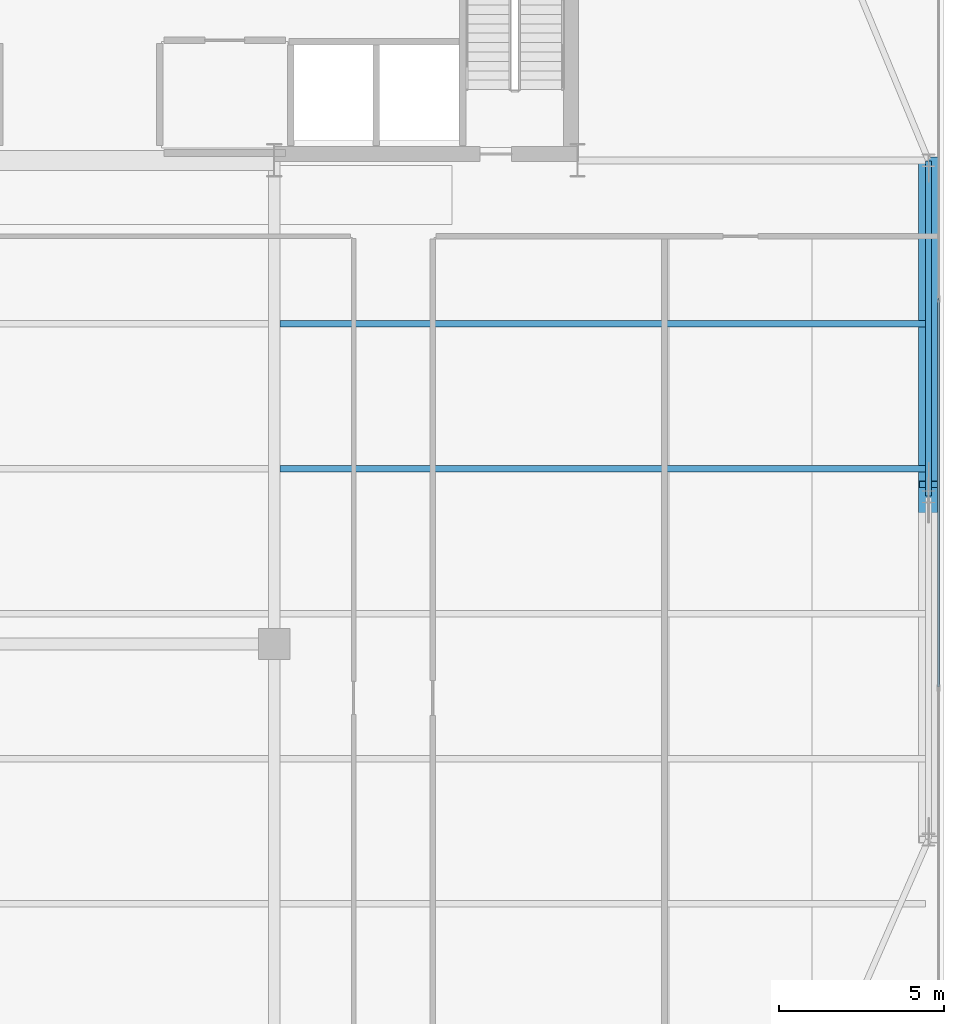
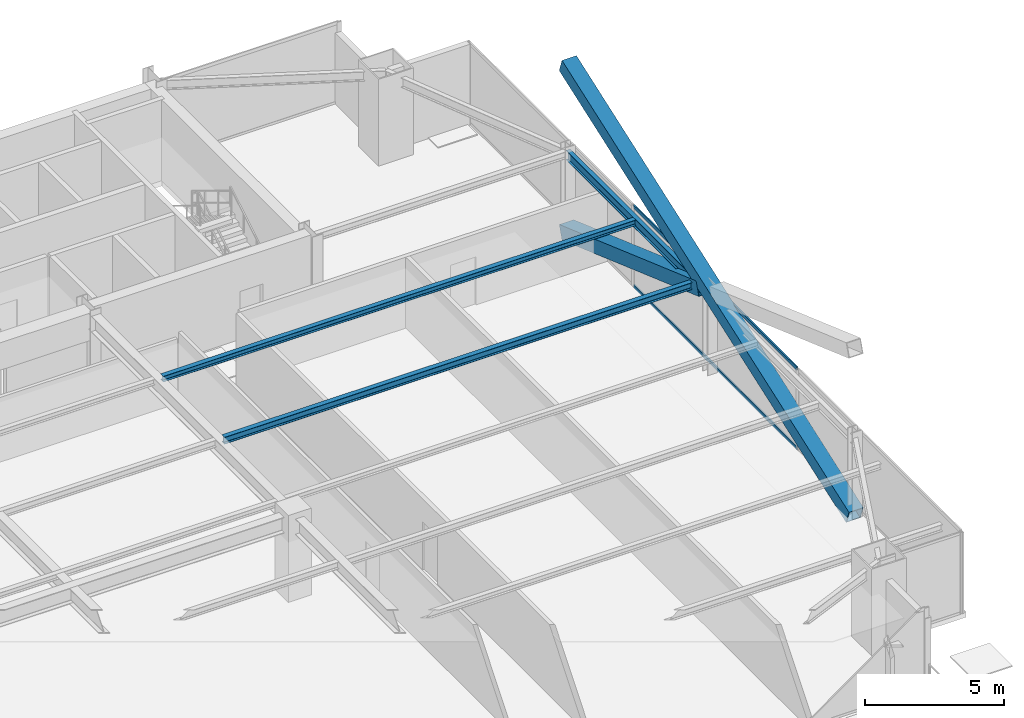
# One storey, part 19 of 35: 4 members, 3 beams, 1 element without a shape of its own.
"""IFC4 building model written with IfcOpenShell, lengths in metres."""

from ifc_helpers import new_model, si_unit, direction, frame, origin, origin_2d, place, context, subcontext, project, spatial, hollow_rectangle, i_section, extrude, source, transform, mapped, material, layer, layer_set, material_profile, profile_set, type_object, type_shapes, element, aggregate, save


model = new_model("IFC4")

# Units and contexts
model_context = context("Model", 3, precision=1e-05, world=origin(), true_north=direction((0.0, 1.0)))
body_context = subcontext(model_context, "Body", "Model", "MODEL_VIEW")
ifc_project = project(units=[si_unit("LENGTHUNIT", "METRE"), si_unit("AREAUNIT", "SQUARE_METRE"), si_unit("VOLUMEUNIT", "CUBIC_METRE"), si_unit("PLANEANGLEUNIT", "RADIAN"), si_unit("MASSUNIT", "GRAM", prefix="KILO")], contexts=[model_context])

# Site, building, storey
site_placement = place(None, origin())
site = spatial("IfcSite", under=ifc_project, at=site_placement, CompositionType="ELEMENT")
building_placement = place(site_placement, origin())
building = spatial("IfcBuilding", under=site, at=building_placement, Name="Varnel Quay Broadcast Tower", CompositionType="ELEMENT")
storey_placement = place(building_placement, frame((0.0, 0.0, 87.0)))
storey = spatial("IfcBuildingStorey", under=building, at=storey_placement, Name="L20", CompositionType="ELEMENT", Elevation=87.0)

# Beams
ifc_material_1 = material(Name="Structural Steel CSA G40.21 350W", Category="steel")
ifc_material_profile_1 = material_profile(ifc_material_1, i_section(OverallWidth=0.180908203125, OverallDepth=0.4169921875, WebThickness=0.010986328125, FlangeThickness=0.018310546875, FilletRadius=0.011962890625, at=origin_2d()), Name="W410X85")
ifc_profile_set_1 = profile_set([ifc_material_profile_1], Name="Structural Steel CSA G40.21 350W")
beam_type_1 = type_object("IfcBeamType", Name="Beam_W410X85", PredefinedType="SPANDREL", material=ifc_profile_set_1)
shared_shape_1 = source(origin(), body_context, "Body", "SweptSolid", [
    extrude(i_section(OverallWidth=0.180908203125, OverallDepth=0.4169921875, WebThickness=0.010986328125, FlangeThickness=0.018310546875, FilletRadius=0.011962890625, at=origin_2d()), origin(), (0.0, 0.0, 1.0), 10.16015625),
])
type_shapes(beam_type_1, [shared_shape_1])
beam_1_placement = place(storey_placement, frame((63.050048828125, 25.419921875, 3.341552734375), z_axis=(0.0, 1.0, 0.0), x_axis=(-1.0, 0.0, 0.0)))
element("IfcBeam", 1, at=beam_1_placement, inside=storey, type_object=beam_type_1, Name="L20 East Spandrel TC-E2-TC-E3", PredefinedType="SPANDREL", context=body_context, shape_type="MappedRepresentation", body=[
    mapped(shared_shape_1, transform((0.0, 0.0, 0.0), x_axis=(1.0, 0.0, 0.0), y_axis=(0.0, 1.0, 0.0), z_axis=(0.0, 0.0, 1.0), scale=1.0)),
])
ifc_material_profile_2 = material_profile(ifc_material_1, i_section(OverallWidth=0.202880859375, OverallDepth=0.302978515625, WebThickness=0.007568359375, FlangeThickness=0.01318359375, FilletRadius=0.011962890625, at=origin_2d()), Name="W310X60")
ifc_profile_set_2 = profile_set([ifc_material_profile_2], Name="Structural Steel CSA G40.21 350W")
beam_type_2 = type_object("IfcBeamType", Name="Beam_W310X60", PredefinedType="JOIST", material=ifc_profile_set_2)
shared_shape_2 = source(origin(), body_context, "Body", "SweptSolid", [
    extrude(i_section(OverallWidth=0.202880859375, OverallDepth=0.302978515625, WebThickness=0.007568359375, FlangeThickness=0.01318359375, FilletRadius=0.011962890625, at=origin_2d()), origin(), (0.0, 0.0, 1.0), 19.592041015625),
])
type_shapes(beam_type_2, [shared_shape_2])
beam_2_placement = place(storey_placement, frame((43.37255859375, 26.25, 3.3984375), z_axis=(1.0, 0.0, 0.0), x_axis=(0.0, 1.0, 0.0)))
element("IfcBeam", 2, at=beam_2_placement, inside=storey, type_object=beam_type_2, Name="L20 East Floor Joist 5", PredefinedType="JOIST", context=body_context, shape_type="MappedRepresentation", body=[
    mapped(shared_shape_2, transform((0.0, 0.0, 0.0), x_axis=(1.0, 0.0, 0.0), y_axis=(0.0, 1.0, 0.0), z_axis=(0.0, 0.0, 1.0), scale=1.0)),
])
ifc_material_profile_3 = material_profile(ifc_material_1, i_section(OverallWidth=0.201904296875, OverallDepth=0.2470703125, WebThickness=0.00732421875, FlangeThickness=0.010986328125, FilletRadius=0.010986328125, at=origin_2d()), Name="W250X49")
ifc_profile_set_3 = profile_set([ifc_material_profile_3], Name="Structural Steel CSA G40.21 350W")
beam_type_3 = type_object("IfcBeamType", Name="Beam_W250X49", PredefinedType="JOIST", material=ifc_profile_set_3)
shared_shape_3 = source(origin(), body_context, "Body", "SweptSolid", [
    extrude(i_section(OverallWidth=0.201904296875, OverallDepth=0.2470703125, WebThickness=0.00732421875, FlangeThickness=0.010986328125, FilletRadius=0.010986328125, at=origin_2d()), origin(), (0.0, 0.0, 1.0), 19.592041015625),
])
type_shapes(beam_type_3, [shared_shape_3])
beam_3_placement = place(storey_placement, frame((43.37255859375, 30.64990234375, 3.426513671875), z_axis=(1.0, 0.0, 0.0), x_axis=(0.0, 1.0, 0.0)))
element("IfcBeam", 3, at=beam_3_placement, inside=storey, type_object=beam_type_3, Name="L20 East Floor Joist 6", PredefinedType="JOIST", context=body_context, shape_type="MappedRepresentation", body=[
    mapped(shared_shape_3, transform((0.0, 0.0, 0.0), x_axis=(1.0, 0.0, 0.0), y_axis=(0.0, 1.0, 0.0), z_axis=(0.0, 0.0, 1.0), scale=1.0)),
])

# Members
ifc_material_2 = material(Name="Structural Steel CSA G40.21 350WT", Category="steel")
ifc_material_profile_4 = material_profile(ifc_material_2, hollow_rectangle(XDim=0.60009765625, YDim=0.60009765625, WallThickness=0.028076171875, at=origin_2d()), Name="BOX600X600X28")
ifc_profile_set_4 = profile_set([ifc_material_profile_4], Name="Structural Steel CSA G40.21 350WT")
member_type_1 = type_object("IfcMemberType", Name="Brace_BOX600X600X28", PredefinedType="BRACE", material=ifc_profile_set_4)
shared_shape_4 = source(origin(), body_context, "Body", "SweptSolid", [
    extrude(hollow_rectangle(XDim=0.60009765625, YDim=0.60009765625, WallThickness=0.028076171875, at=origin_2d()), origin(), (0.0, 0.0, 1.0), 21.858642578125),
])
member_1_placement = place(storey_placement, frame((63.050048828125, 15.0, 0.02001953125), z_axis=(0.0, 0.942422749236, 0.334423925165), x_axis=(-1.0, 0.0, 0.0)))
element("IfcMember", 4, at=member_1_placement, inside=storey, type_object=member_type_1, Name="Zone 2 Mega-Brace E-FT1 Continuous Diag A", PredefinedType="BRACE", context=body_context, shape_type="MappedRepresentation", body=[
    mapped(shared_shape_4, transform((0.0, 0.0, 0.0), x_axis=(1.0, 0.0, 0.0), y_axis=(0.0, 1.0, 0.0), z_axis=(0.0, 0.0, 1.0), scale=1.0)),
])
shared_shape_5 = source(origin(), body_context, "Body", "SweptSolid", [
    extrude(hollow_rectangle(XDim=0.60009765625, YDim=0.60009765625, WallThickness=0.028076171875, at=origin_2d()), origin(), (0.0, 0.0, 1.0), 10.42822265625),
])
type_shapes(member_type_1, [shared_shape_4, shared_shape_5])
member_2_placement = place(storey_placement, frame((63.050048828125, 35.60009765625, 0.02001953125), z_axis=(0.0, -0.942420605046, 0.334429967534), x_axis=(1.0, 0.0, 0.0)))
element("IfcMember", 5, at=member_2_placement, inside=storey, type_object=member_type_1, Name="Zone 2 Mega-Brace E-FT1 Split Diag B1", PredefinedType="BRACE", context=body_context, shape_type="MappedRepresentation", body=[
    mapped(shared_shape_5, transform((0.0, 0.0, 0.0), x_axis=(1.0, 0.0, 0.0), y_axis=(0.0, 1.0, 0.0), z_axis=(0.0, 0.0, 1.0), scale=1.0)),
])

# Curtain wall, members
ifc_material_3 = material(Name="Anodised Bronze Aluminium 6063-T6", Category="aluminium")
ifc_layer = layer(ifc_material_3, 0.18994140625, Name="Anodised Bronze Aluminium 6063-T6")
ifc_layer_set = layer_set([ifc_layer], Name="Anodised Bronze Aluminium 6063-T6")
curtain_wall_type = type_object("IfcCurtainWallType", Name="CW_LowerTower", PredefinedType="NOTDEFINED", material=ifc_layer_set)
curtain_wall_placement = place(storey_placement, origin())
curtain_wall = element("IfcCurtainWall", 6, at=curtain_wall_placement, inside=storey, type_object=curtain_wall_type, Name="L20 East Unitised Curtain Wall", PredefinedType="NOTDEFINED")
ifc_material_profile_5 = material_profile(ifc_material_3, hollow_rectangle(XDim=0.06005859375, YDim=0.14501953125, WallThickness=0.00341796875, at=origin_2d()), Name="ALU60X145X3.5")
ifc_profile_set_5 = profile_set([ifc_material_profile_5], Name="Anodised Bronze Aluminium 6063-T6")
member_type_2 = type_object("IfcMemberType", Name="Tran_CWS-02", PredefinedType="USERDEFINED", material=ifc_profile_set_5)
shared_shape_6 = source(origin(), body_context, "Body", "SweptSolid", [
    extrude(hollow_rectangle(XDim=0.06005859375, YDim=0.14501953125, WallThickness=0.00341796875, at=origin_2d()), origin(), (0.0, 0.0, 1.0), 11.72998046875),
])
type_shapes(member_type_2, [shared_shape_6])
member_3_placement = place(storey_placement, frame((63.35009765625, 19.635009765625, 0.030029296875), z_axis=(0.0, 1.0, 0.0), x_axis=(-1.0, 0.0, 0.0)))
member_3 = element("IfcMember", 7, at=member_3_placement, type_object=member_type_2, Name="CWS-02 transom 2.1", ObjectType="TRANSOM", PredefinedType="USERDEFINED", context=body_context, shape_type="MappedRepresentation", body=[
    mapped(shared_shape_6, transform((0.0, 0.0, 0.0), x_axis=(1.0, 0.0, 0.0), y_axis=(0.0, 1.0, 0.0), z_axis=(0.0, 0.0, 1.0), scale=1.0)),
])
member_4_placement = place(storey_placement, frame((63.35009765625, 19.635009765625, 3.52001953125), z_axis=(0.0, 1.0, 0.0), x_axis=(-1.0, 0.0, 0.0)))
member_4 = element("IfcMember", 8, at=member_4_placement, type_object=member_type_2, Name="CWS-02 transom 2.2", ObjectType="TRANSOM", PredefinedType="USERDEFINED", context=body_context, shape_type="MappedRepresentation", body=[
    mapped(shared_shape_6, transform((0.0, 0.0, 0.0), x_axis=(1.0, 0.0, 0.0), y_axis=(0.0, 1.0, 0.0), z_axis=(0.0, 0.0, 1.0), scale=1.0)),
])
aggregate(curtain_wall, [member_3, member_4])

save(model, "model.ifc")
